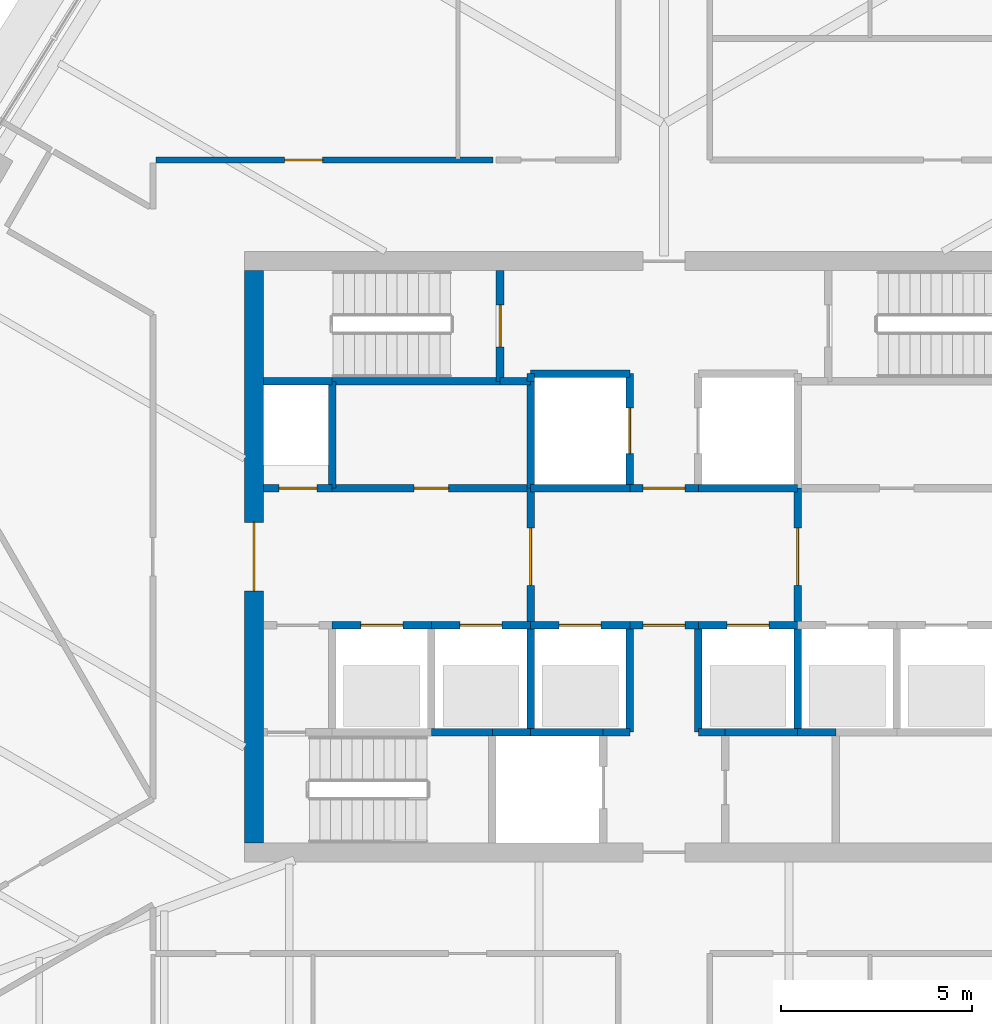
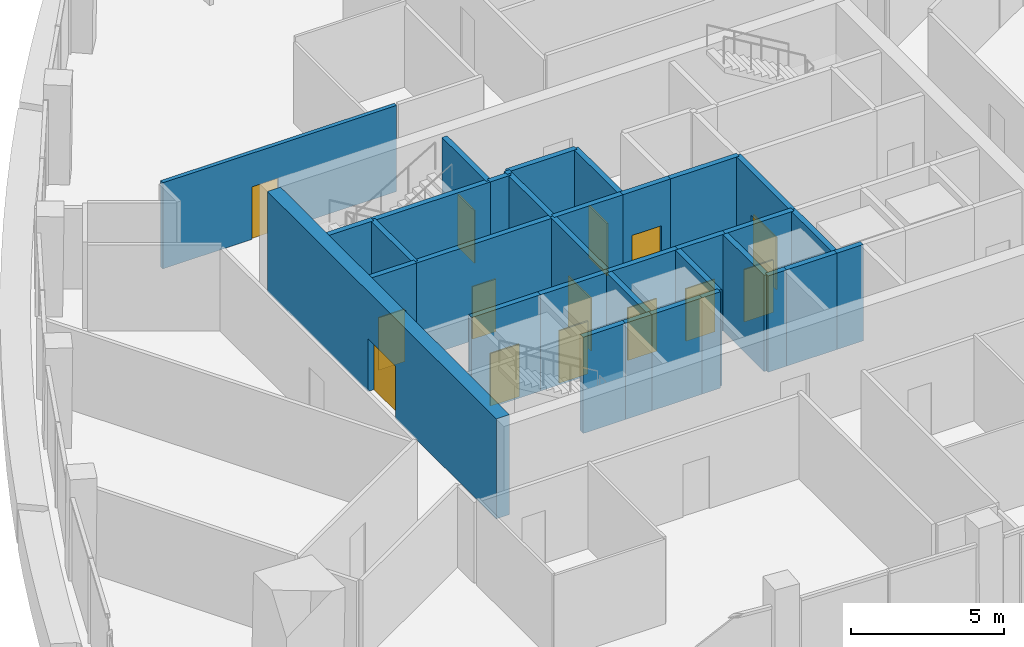
# One storey, part 9 of 15: 34 walls, 14 doors, 14 openings.
"""IFC4 building model written with IfcOpenShell, lengths in metres."""

from ifc_helpers import new_model, si_unit, direction, frame, frame_2d, origin, place, context, subcontext, project, spatial, rectangle, extrude, material, layer, layer_set, type_object, element, fill, save


model = new_model("IFC4")

# Units and contexts
model_context = context("Model", 3, precision=1e-05, world=origin(), true_north=direction((0.0, 1.0)))
body_context = subcontext(model_context, "Body", "Model", "MODEL_VIEW")
ifc_project = project(units=[si_unit("LENGTHUNIT", "METRE"), si_unit("AREAUNIT", "SQUARE_METRE"), si_unit("VOLUMEUNIT", "CUBIC_METRE"), si_unit("PLANEANGLEUNIT", "RADIAN"), si_unit("MASSUNIT", "GRAM", prefix="KILO")], contexts=[model_context])

# Site, building, storey
site_placement = place(None, origin())
site = spatial("IfcSite", under=ifc_project, at=site_placement, CompositionType="ELEMENT")
building_placement = place(site_placement, origin())
building = spatial("IfcBuilding", under=site, at=building_placement, Name="Sierra Prisma Convention Tower", CompositionType="ELEMENT")
storey_placement = place(building_placement, frame((0.0, 0.0, 267.0)))
storey = spatial("IfcBuildingStorey", under=building, at=storey_placement, Name="L60", CompositionType="ELEMENT", Elevation=267.0)

# Wall, opening, door
ifc_material_1 = material(Name="Concrete C30/37", Category="concrete")
ifc_layer_1 = layer(ifc_material_1, 0.199951171875)
ifc_layer_set_1 = layer_set([ifc_layer_1], Name="Core wall RC 200 C30/37")
wall_type_1 = type_object("IfcWallType", Name="Core wall RC 200 C30/37", PredefinedType="SOLIDWALL", material=ifc_layer_set_1)
wall_1_placement = place(storey_placement, frame((-8.699951171875, 1.800048828125, 0.0), z_axis=(0.0, 0.0, 1.0), x_axis=(-1.0, 0.0, 0.0)))
wall_1 = element("IfcWall", 1, at=wall_1_placement, inside=storey, type_object=wall_type_1, Name="Core wall L60 3", PredefinedType="SOLIDWALL", context=body_context, shape_type="SweptSolid", body=[
    extrude(rectangle(XDim=1.800048828125, YDim=0.199951171875, at=frame_2d((0.89990234375, 0.0))), origin(), (0.0, 0.0, 1.0), 3.85009765625),
])
opening_1_placement = place(wall_1_placement, frame((0.39990234375, 0.0, 0.0)))
opening_1 = element("IfcOpeningElement", 2, at=opening_1_placement, cuts=wall_1, Name="Opening L60-D015", PredefinedType="OPENING", context=body_context, shape_type="SweptSolid", body=[
    extrude(rectangle(XDim=1.0, YDim=2.10009765625, at=frame_2d((0.5, 1.050048828125))), frame((0.0, 0.10009765625, 0.0), z_axis=(0.0, -1.0, 0.0), x_axis=(1.0, 0.0, 0.0)), (0.0, 0.0, 1.0), 0.199951171875),
])
ifc_material_2 = material(Name="Steel fire door leaf", Category="steel")
door_type_1 = type_object("IfcDoorType", Name="Door 1000x2100 FD60S", OperationType="SINGLE_SWING_LEFT", PredefinedType="DOOR", material=ifc_material_2)
door_1_placement = place(opening_1_placement, origin())
door_1 = element("IfcDoor", 3, at=door_1_placement, inside=storey, type_object=door_type_1, Name="Door L60 29", OperationType="SINGLE_SWING_RIGHT", OverallHeight=2.10009765625, OverallWidth=1.0, PredefinedType="DOOR", context=body_context, shape_type="SweptSolid", body=[
    extrude(rectangle(XDim=1.0, YDim=2.10009765625, at=frame_2d((0.5, 1.050048828125))), frame((0.0, 0.02490234375, 0.0), z_axis=(0.0, -1.0, 0.0), x_axis=(1.0, 0.0, 0.0)), (0.0, 0.0, 1.0), 0.050048828125),
])
fill(opening_1, door_1)

# Wall
wall_2_placement = place(storey_placement, frame((-8.699951171875, 4.60009765625, 0.0), z_axis=(0.0, 0.0, 1.0), x_axis=(-1.0, 0.0, 0.0)))
element("IfcWall", 4, at=wall_2_placement, inside=storey, type_object=wall_type_1, Name="Core wall L60 4", PredefinedType="SOLIDWALL", context=body_context, shape_type="SweptSolid", body=[
    extrude(rectangle(XDim=1.800048828125, YDim=0.199951171875, at=frame_2d((0.89990234375, 0.0))), origin(), (0.0, 0.0, 1.0), 3.85009765625),
])

# Wall, opening, door
wall_3_placement = place(storey_placement, frame((-8.699951171875, -1.800048828125, 0.0), z_axis=(0.0, 0.0, 1.0), x_axis=(1.0, 0.0, 0.0)))
wall_3 = element("IfcWall", 5, at=wall_3_placement, inside=storey, type_object=wall_type_1, Name="Core wall L60 7", PredefinedType="SOLIDWALL", context=body_context, shape_type="SweptSolid", body=[
    extrude(rectangle(XDim=2.599853515625, YDim=0.199951171875, at=frame_2d((1.2998046875, 0.0))), origin(), (0.0, 0.0, 1.0), 3.85009765625),
])
opening_2_placement = place(wall_3_placement, frame((0.75, 0.0, 0.0)))
opening_2 = element("IfcOpeningElement", 6, at=opening_2_placement, cuts=wall_3, Name="Opening L60-D001", PredefinedType="OPENING", context=body_context, shape_type="SweptSolid", body=[
    extrude(rectangle(XDim=1.10009765625, YDim=2.10009765625, at=frame_2d((0.550048828125, 1.050048828125))), frame((0.0, 0.10009765625, 0.0), z_axis=(0.0, -1.0, 0.0), x_axis=(1.0, 0.0, 0.0)), (0.0, 0.0, 1.0), 0.199951171875),
])
ifc_material_3 = material(Name="Steel fire door leaf", Category="steel")
door_type_2 = type_object("IfcDoorType", Name="Door 1100x2100 EI 90 sliding lift landing", OperationType="SLIDING_TO_LEFT", PredefinedType="DOOR", material=ifc_material_3)
door_2_placement = place(opening_2_placement, origin())
door_2 = element("IfcDoor", 7, at=door_2_placement, inside=storey, type_object=door_type_2, Name="Door L60 15", OperationType="SLIDING_TO_LEFT", OverallHeight=2.10009765625, OverallWidth=1.10009765625, PredefinedType="DOOR", context=body_context, shape_type="SweptSolid", body=[
    extrude(rectangle(XDim=1.10009765625, YDim=2.10009765625, at=frame_2d((0.550048828125, 1.050048828125))), frame((0.0, 0.02490234375, 0.0), z_axis=(0.0, -1.0, 0.0), x_axis=(1.0, 0.0, 0.0)), (0.0, 0.0, 1.0), 0.050048828125),
])
fill(opening_2, door_2)

wall_4_placement = place(storey_placement, frame((-8.699951171875, 1.800048828125, 0.0), z_axis=(0.0, 0.0, 1.0), x_axis=(1.0, 0.0, 0.0)))
wall_4 = element("IfcWall", 8, at=wall_4_placement, inside=storey, type_object=wall_type_1, Name="Core wall L60 8", PredefinedType="SOLIDWALL", context=body_context, shape_type="SweptSolid", body=[
    extrude(rectangle(XDim=5.199951171875, YDim=0.199951171875, at=frame_2d((2.60009765625, 0.0))), origin(), (0.0, 0.0, 1.0), 3.85009765625),
])
opening_3_placement = place(wall_4_placement, frame((2.14990234375, 0.0, 0.0)))
opening_3 = element("IfcOpeningElement", 9, at=opening_3_placement, cuts=wall_4, Name="Opening L60-D021", PredefinedType="OPENING", context=body_context, shape_type="SweptSolid", body=[
    extrude(rectangle(XDim=0.89990234375, YDim=2.10009765625, at=frame_2d((0.449951171875, 1.050048828125))), frame((0.0, 0.10009765625, 0.0), z_axis=(0.0, -1.0, 0.0), x_axis=(1.0, 0.0, 0.0)), (0.0, 0.0, 1.0), 0.199951171875),
])
ifc_material_4 = material(Name="Steel fire door leaf", Category="steel")
door_type_3 = type_object("IfcDoorType", Name="Door 900x2100 FD30S", OperationType="SINGLE_SWING_LEFT", PredefinedType="DOOR", material=ifc_material_4)
door_3_placement = place(opening_3_placement, origin())
door_3 = element("IfcDoor", 10, at=door_3_placement, inside=storey, type_object=door_type_3, Name="Door L60 35", OperationType="SINGLE_SWING_LEFT", OverallHeight=2.10009765625, OverallWidth=0.89990234375, PredefinedType="DOOR", context=body_context, shape_type="SweptSolid", body=[
    extrude(rectangle(XDim=0.89990234375, YDim=2.10009765625, at=frame_2d((0.449951171875, 1.050048828125))), frame((0.0, 0.02490234375, 0.0), z_axis=(0.0, -1.0, 0.0), x_axis=(1.0, 0.0, 0.0)), (0.0, 0.0, 1.0), 0.050048828125),
])
fill(opening_3, door_3)

# Walls
wall_5_placement = place(storey_placement, frame((-8.699951171875, 4.60009765625, 0.0), z_axis=(0.0, 0.0, 1.0), x_axis=(0.0, -1.0, 0.0)))
element("IfcWall", 11, at=wall_5_placement, inside=storey, type_object=wall_type_1, Name="Core wall L60 9", PredefinedType="SOLIDWALL", context=body_context, shape_type="SweptSolid", body=[
    extrude(rectangle(XDim=2.800048828125, YDim=0.199951171875, at=frame_2d((1.39990234375, 0.0))), origin(), (0.0, 0.0, 1.0), 3.85009765625),
])
wall_6_placement = place(storey_placement, frame((-4.300048828125, 4.60009765625, 0.0), z_axis=(0.0, 0.0, 1.0), x_axis=(-1.0, 0.0, 0.0)))
element("IfcWall", 12, at=wall_6_placement, inside=storey, type_object=wall_type_1, Name="Core wall L60 10", PredefinedType="SOLIDWALL", context=body_context, shape_type="SweptSolid", body=[
    extrude(rectangle(XDim=4.39990234375, YDim=0.199951171875, at=frame_2d((2.199951171875, 0.0))), origin(), (0.0, 0.0, 1.0), 3.85009765625),
])
wall_7_placement = place(storey_placement, frame((-6.10009765625, -4.60009765625, 0.0), z_axis=(0.0, 0.0, 1.0), x_axis=(1.0, 0.0, 0.0)))
element("IfcWall", 13, at=wall_7_placement, inside=storey, type_object=wall_type_1, Name="Core wall L60 11", PredefinedType="SOLIDWALL", context=body_context, shape_type="SweptSolid", body=[
    extrude(rectangle(XDim=1.60009765625, YDim=0.199951171875, at=frame_2d((0.800048828125, 0.0))), origin(), (0.0, 0.0, 1.0), 3.85009765625),
])

# Wall, opening, door
wall_8_placement = place(storey_placement, frame((-6.10009765625, -1.800048828125, 0.0), z_axis=(0.0, 0.0, 1.0), x_axis=(1.0, 0.0, 0.0)))
wall_8 = element("IfcWall", 14, at=wall_8_placement, inside=storey, type_object=wall_type_1, Name="Core wall L60 13", PredefinedType="SOLIDWALL", context=body_context, shape_type="SweptSolid", body=[
    extrude(rectangle(XDim=2.60009765625, YDim=0.199951171875, at=frame_2d((1.300048828125, 0.0))), origin(), (0.0, 0.0, 1.0), 3.85009765625),
])
opening_4_placement = place(wall_8_placement, frame((0.75, 0.0, 0.0)))
opening_4 = element("IfcOpeningElement", 15, at=opening_4_placement, cuts=wall_8, Name="Opening L60-D002", PredefinedType="OPENING", context=body_context, shape_type="SweptSolid", body=[
    extrude(rectangle(XDim=1.10009765625, YDim=2.10009765625, at=frame_2d((0.550048828125, 1.050048828125))), frame((0.0, 0.10009765625, 0.0), z_axis=(0.0, -1.0, 0.0), x_axis=(1.0, 0.0, 0.0)), (0.0, 0.0, 1.0), 0.199951171875),
])
door_4_placement = place(opening_4_placement, origin())
door_4 = element("IfcDoor", 16, at=door_4_placement, inside=storey, type_object=door_type_2, Name="Door L60 16", OperationType="SLIDING_TO_LEFT", OverallHeight=2.10009765625, OverallWidth=1.10009765625, PredefinedType="DOOR", context=body_context, shape_type="SweptSolid", body=[
    extrude(rectangle(XDim=1.10009765625, YDim=2.10009765625, at=frame_2d((0.550048828125, 1.050048828125))), frame((0.0, 0.02490234375, 0.0), z_axis=(0.0, -1.0, 0.0), x_axis=(1.0, 0.0, 0.0)), (0.0, 0.0, 1.0), 0.050048828125),
])
fill(opening_4, door_4)

# Walls
wall_9_placement = place(storey_placement, frame((-4.5, -4.60009765625, 0.0), z_axis=(0.0, 0.0, 1.0), x_axis=(1.0, 0.0, 0.0)))
element("IfcWall", 17, at=wall_9_placement, inside=storey, type_object=wall_type_1, Name="Core wall L60 15", PredefinedType="SOLIDWALL", context=body_context, shape_type="SweptSolid", body=[
    extrude(rectangle(XDim=1.0, YDim=0.199951171875, at=frame_2d((0.5, 0.0))), origin(), (0.0, 0.0, 1.0), 3.85009765625),
])
wall_10_placement = place(storey_placement, frame((-3.5, 4.60009765625, 0.0), z_axis=(0.0, 0.0, 1.0), x_axis=(-1.0, 0.0, 0.0)))
element("IfcWall", 18, at=wall_10_placement, inside=storey, type_object=wall_type_1, Name="Core wall L60 16", PredefinedType="SOLIDWALL", context=body_context, shape_type="SweptSolid", body=[
    extrude(rectangle(XDim=0.800048828125, YDim=0.199951171875, at=frame_2d((0.39990234375, 0.0))), origin(), (0.0, 0.0, 1.0), 3.85009765625),
])

# Wall, opening, door
wall_11_placement = place(storey_placement, frame((-4.300048828125, 4.60009765625, 0.0), z_axis=(0.0, 0.0, 1.0), x_axis=(0.0, 1.0, 0.0)))
wall_11 = element("IfcWall", 19, at=wall_11_placement, inside=storey, type_object=wall_type_1, Name="Core wall L60 17", PredefinedType="SOLIDWALL", context=body_context, shape_type="SweptSolid", body=[
    extrude(rectangle(XDim=2.89990234375, YDim=0.199951171875, at=frame_2d((1.449951171875, 0.0))), origin(), (0.0, 0.0, 1.0), 3.85009765625),
])
opening_5_placement = place(wall_11_placement, frame((0.89990234375, 0.0, 0.0)))
opening_5 = element("IfcOpeningElement", 20, at=opening_5_placement, cuts=wall_11, Name="Opening L60-D018", PredefinedType="OPENING", context=body_context, shape_type="SweptSolid", body=[
    extrude(rectangle(XDim=1.10009765625, YDim=2.10009765625, at=frame_2d((0.550048828125, 1.050048828125))), frame((0.0, 0.10009765625, 0.0), z_axis=(0.0, -1.0, 0.0), x_axis=(1.0, 0.0, 0.0)), (0.0, 0.0, 1.0), 0.199951171875),
])
ifc_material_5 = material(Name="Steel fire door leaf", Category="steel")
door_type_4 = type_object("IfcDoorType", Name="Door 1100x2100 FD90S", OperationType="SINGLE_SWING_LEFT", PredefinedType="DOOR", material=ifc_material_5)
door_5_placement = place(opening_5_placement, origin())
door_5 = element("IfcDoor", 21, at=door_5_placement, inside=storey, type_object=door_type_4, Name="Door L60 32", OperationType="SINGLE_SWING_RIGHT", OverallHeight=2.10009765625, OverallWidth=1.10009765625, PredefinedType="DOOR", context=body_context, shape_type="SweptSolid", body=[
    extrude(rectangle(XDim=1.10009765625, YDim=2.10009765625, at=frame_2d((0.550048828125, 1.050048828125))), frame((0.0, 0.02490234375, 0.0), z_axis=(0.0, -1.0, 0.0), x_axis=(1.0, 0.0, 0.0)), (0.0, 0.0, 1.0), 0.050048828125),
])
fill(opening_5, door_5)

# Walls
wall_12_placement = place(storey_placement, frame((-3.5, -4.60009765625, 0.0), z_axis=(0.0, 0.0, 1.0), x_axis=(1.0, 0.0, 0.0)))
element("IfcWall", 22, at=wall_12_placement, inside=storey, type_object=wall_type_1, Name="Core wall L60 18", PredefinedType="SOLIDWALL", context=body_context, shape_type="SweptSolid", body=[
    extrude(rectangle(XDim=1.89990234375, YDim=0.199951171875, at=frame_2d((0.949951171875, 0.0))), origin(), (0.0, 0.0, 1.0), 3.85009765625),
])
wall_13_placement = place(storey_placement, frame((-3.5, -4.60009765625, 0.0), z_axis=(0.0, 0.0, 1.0), x_axis=(0.0, 1.0, 0.0)))
element("IfcWall", 23, at=wall_13_placement, inside=storey, type_object=wall_type_1, Name="Core wall L60 19", PredefinedType="SOLIDWALL", context=body_context, shape_type="SweptSolid", body=[
    extrude(rectangle(XDim=2.800048828125, YDim=0.199951171875, at=frame_2d((1.39990234375, 0.0))), origin(), (0.0, 0.0, 1.0), 3.85009765625),
])

# Wall, opening, door
wall_14_placement = place(storey_placement, frame((-3.5, -1.800048828125, 0.0), z_axis=(0.0, 0.0, 1.0), x_axis=(1.0, 0.0, 0.0)))
wall_14 = element("IfcWall", 24, at=wall_14_placement, inside=storey, type_object=wall_type_1, Name="Core wall L60 20", PredefinedType="SOLIDWALL", context=body_context, shape_type="SweptSolid", body=[
    extrude(rectangle(XDim=2.60009765625, YDim=0.199951171875, at=frame_2d((1.300048828125, 0.0))), origin(), (0.0, 0.0, 1.0), 3.85009765625),
])
opening_6_placement = place(wall_14_placement, frame((0.75, 0.0, 0.0)))
opening_6 = element("IfcOpeningElement", 25, at=opening_6_placement, cuts=wall_14, Name="Opening L60-D003", PredefinedType="OPENING", context=body_context, shape_type="SweptSolid", body=[
    extrude(rectangle(XDim=1.10009765625, YDim=2.10009765625, at=frame_2d((0.550048828125, 1.050048828125))), frame((0.0, 0.10009765625, 0.0), z_axis=(0.0, -1.0, 0.0), x_axis=(1.0, 0.0, 0.0)), (0.0, 0.0, 1.0), 0.199951171875),
])
door_6_placement = place(opening_6_placement, origin())
door_6 = element("IfcDoor", 26, at=door_6_placement, inside=storey, type_object=door_type_2, Name="Door L60 17", OperationType="SLIDING_TO_LEFT", OverallHeight=2.10009765625, OverallWidth=1.10009765625, PredefinedType="DOOR", context=body_context, shape_type="SweptSolid", body=[
    extrude(rectangle(XDim=1.10009765625, YDim=2.10009765625, at=frame_2d((0.550048828125, 1.050048828125))), frame((0.0, 0.02490234375, 0.0), z_axis=(0.0, -1.0, 0.0), x_axis=(1.0, 0.0, 0.0)), (0.0, 0.0, 1.0), 0.050048828125),
])
fill(opening_6, door_6)

wall_15_placement = place(storey_placement, frame((-3.5, 1.800048828125, 0.0), z_axis=(0.0, 0.0, 1.0), x_axis=(0.0, -1.0, 0.0)))
wall_15 = element("IfcWall", 27, at=wall_15_placement, inside=storey, type_object=wall_type_1, Name="Core wall L60 21", PredefinedType="SOLIDWALL", context=body_context, shape_type="SweptSolid", body=[
    extrude(rectangle(XDim=3.60009765625, YDim=0.199951171875, at=frame_2d((1.800048828125, 0.0))), origin(), (0.0, 0.0, 1.0), 3.85009765625),
])
opening_7_placement = place(wall_15_placement, frame((1.050048828125, 0.0, 0.0)))
opening_7 = element("IfcOpeningElement", 28, at=opening_7_placement, cuts=wall_15, Name="Opening L60-D010", PredefinedType="OPENING", context=body_context, shape_type="SweptSolid", body=[
    extrude(rectangle(XDim=1.5, YDim=2.10009765625, at=frame_2d((0.75, 1.050048828125))), frame((0.0, 0.10009765625, 0.0), z_axis=(0.0, -1.0, 0.0), x_axis=(1.0, 0.0, 0.0)), (0.0, 0.0, 1.0), 0.199951171875),
])
ifc_material_6 = material(Name="Steel fire door leaf", Category="steel")
door_type_5 = type_object("IfcDoorType", Name="Door 1500x2100 FD30S", OperationType="DOUBLE_DOOR_SINGLE_SWING", PredefinedType="DOOR", material=ifc_material_6)
door_7_placement = place(opening_7_placement, origin())
door_7 = element("IfcDoor", 29, at=door_7_placement, inside=storey, type_object=door_type_5, Name="Door L60 24", OperationType="DOUBLE_DOOR_SINGLE_SWING", OverallHeight=2.10009765625, OverallWidth=1.5, PredefinedType="DOOR", context=body_context, shape_type="SweptSolid", body=[
    extrude(rectangle(XDim=1.5, YDim=2.10009765625, at=frame_2d((0.75, 1.050048828125))), frame((0.0, 0.02490234375, 0.0), z_axis=(0.0, -1.0, 0.0), x_axis=(1.0, 0.0, 0.0)), (0.0, 0.0, 1.0), 0.050048828125),
])
fill(opening_7, door_7)

# Walls
wall_16_placement = place(storey_placement, frame((-0.89990234375, 1.800048828125, 0.0), z_axis=(0.0, 0.0, 1.0), x_axis=(-1.0, 0.0, 0.0)))
element("IfcWall", 30, at=wall_16_placement, inside=storey, type_object=wall_type_1, Name="Core wall L60 22", PredefinedType="SOLIDWALL", context=body_context, shape_type="SweptSolid", body=[
    extrude(rectangle(XDim=2.60009765625, YDim=0.199951171875, at=frame_2d((1.300048828125, 0.0))), origin(), (0.0, 0.0, 1.0), 3.85009765625),
])
wall_17_placement = place(storey_placement, frame((-3.5, 1.800048828125, 0.0), z_axis=(0.0, 0.0, 1.0), x_axis=(0.0, 1.0, 0.0)))
element("IfcWall", 31, at=wall_17_placement, inside=storey, type_object=wall_type_1, Name="Core wall L60 23", PredefinedType="SOLIDWALL", context=body_context, shape_type="SweptSolid", body=[
    extrude(rectangle(XDim=2.800048828125, YDim=0.199951171875, at=frame_2d((1.39990234375, 0.0))), origin(), (0.0, 0.0, 1.0), 3.85009765625),
])

# Wall, opening, door
wall_18_placement = place(storey_placement, frame((-0.89990234375, 1.800048828125, 0.0), z_axis=(0.0, 0.0, 1.0), x_axis=(0.0, 1.0, 0.0)))
wall_18 = element("IfcWall", 32, at=wall_18_placement, inside=storey, type_object=wall_type_1, Name="Core wall L60 24", PredefinedType="SOLIDWALL", context=body_context, shape_type="SweptSolid", body=[
    extrude(rectangle(XDim=3.0, YDim=0.199951171875, at=frame_2d((1.5, 0.0))), origin(), (0.0, 0.0, 1.0), 3.85009765625),
])
opening_8_placement = place(wall_18_placement, frame((0.89990234375, 0.0, 0.0)))
opening_8 = element("IfcOpeningElement", 33, at=opening_8_placement, cuts=wall_18, Name="Opening L60-D007", PredefinedType="OPENING", context=body_context, shape_type="SweptSolid", body=[
    extrude(rectangle(XDim=1.199951171875, YDim=2.10009765625, at=frame_2d((0.60009765625, 1.050048828125))), frame((0.0, 0.10009765625, 0.0), z_axis=(0.0, -1.0, 0.0), x_axis=(1.0, 0.0, 0.0)), (0.0, 0.0, 1.0), 0.199951171875),
])
ifc_material_7 = material(Name="Steel fire door leaf", Category="steel")
door_type_6 = type_object("IfcDoorType", Name="Door 1200x2100 EI 90 sliding lift landing", OperationType="SLIDING_TO_LEFT", PredefinedType="DOOR", material=ifc_material_7)
door_8_placement = place(opening_8_placement, origin())
door_8 = element("IfcDoor", 34, at=door_8_placement, inside=storey, type_object=door_type_6, Name="Door L60 21", OperationType="SLIDING_TO_RIGHT", OverallHeight=2.10009765625, OverallWidth=1.199951171875, PredefinedType="DOOR", context=body_context, shape_type="SweptSolid", body=[
    extrude(rectangle(XDim=1.199951171875, YDim=2.10009765625, at=frame_2d((0.60009765625, 1.050048828125))), frame((0.0, 0.02490234375, 0.0), z_axis=(0.0, -1.0, 0.0), x_axis=(1.0, 0.0, 0.0)), (0.0, 0.0, 1.0), 0.050048828125),
])
fill(opening_8, door_8)

# Walls
wall_19_placement = place(storey_placement, frame((-0.89990234375, 4.800048828125, 0.0), z_axis=(0.0, 0.0, 1.0), x_axis=(-1.0, 0.0, 0.0)))
element("IfcWall", 35, at=wall_19_placement, inside=storey, type_object=wall_type_1, Name="Core wall L60 25", PredefinedType="SOLIDWALL", context=body_context, shape_type="SweptSolid", body=[
    extrude(rectangle(XDim=2.60009765625, YDim=0.199951171875, at=frame_2d((1.300048828125, 0.0))), origin(), (0.0, 0.0, 1.0), 3.85009765625),
])
wall_20_placement = place(storey_placement, frame((-3.5, 4.800048828125, 0.0), z_axis=(0.0, 0.0, 1.0), x_axis=(0.0, -1.0, 0.0)))
element("IfcWall", 36, at=wall_20_placement, inside=storey, type_object=wall_type_1, Name="Core wall L60 26", PredefinedType="SOLIDWALL", context=body_context, shape_type="SweptSolid", body=[
    extrude(rectangle(XDim=0.199951171875, YDim=0.199951171875, at=frame_2d((0.10009765625, 0.0))), origin(), (0.0, 0.0, 1.0), 3.85009765625),
])
wall_21_placement = place(storey_placement, frame((-1.60009765625, -4.60009765625, 0.0), z_axis=(0.0, 0.0, 1.0), x_axis=(1.0, 0.0, 0.0)))
element("IfcWall", 37, at=wall_21_placement, inside=storey, type_object=wall_type_1, Name="Core wall L60 28", PredefinedType="SOLIDWALL", context=body_context, shape_type="SweptSolid", body=[
    extrude(rectangle(XDim=0.7001953125, YDim=0.199951171875, at=frame_2d((0.35009765625, 0.0))), origin(), (0.0, 0.0, 1.0), 3.85009765625),
])
wall_22_placement = place(storey_placement, frame((-0.89990234375, -4.60009765625, 0.0), z_axis=(0.0, 0.0, 1.0), x_axis=(0.0, 1.0, 0.0)))
element("IfcWall", 38, at=wall_22_placement, inside=storey, type_object=wall_type_1, Name="Core wall L60 29", PredefinedType="SOLIDWALL", context=body_context, shape_type="SweptSolid", body=[
    extrude(rectangle(XDim=2.800048828125, YDim=0.199951171875, at=frame_2d((1.39990234375, 0.0))), origin(), (0.0, 0.0, 1.0), 3.85009765625),
])

# Wall, opening, door
wall_23_placement = place(storey_placement, frame((-0.89990234375, -1.800048828125, 0.0), z_axis=(0.0, 0.0, 1.0), x_axis=(1.0, 0.0, 0.0)))
wall_23 = element("IfcWall", 39, at=wall_23_placement, inside=storey, type_object=wall_type_1, Name="Core wall L60 30", PredefinedType="SOLIDWALL", context=body_context, shape_type="SweptSolid", body=[
    extrude(rectangle(XDim=1.7998046875, YDim=0.199951171875, at=frame_2d((0.89990234375, 0.0))), origin(), (0.0, 0.0, 1.0), 3.85009765625),
])
opening_9_placement = place(wall_23_placement, frame((0.35009765625, 0.0, 0.0)))
opening_9 = element("IfcOpeningElement", 40, at=opening_9_placement, cuts=wall_23, Name="Opening L60-D014", PredefinedType="OPENING", context=body_context, shape_type="SweptSolid", body=[
    extrude(rectangle(XDim=1.10009765625, YDim=2.10009765625, at=frame_2d((0.550048828125, 1.050048828125))), frame((0.0, 0.10009765625, 0.0), z_axis=(0.0, -1.0, 0.0), x_axis=(1.0, 0.0, 0.0)), (0.0, 0.0, 1.0), 0.199951171875),
])
ifc_material_8 = material(Name="Steel fire door leaf", Category="steel")
door_type_7 = type_object("IfcDoorType", Name="Door 1100x2100 FD30S", OperationType="SINGLE_SWING_LEFT", PredefinedType="DOOR", material=ifc_material_8)
door_9_placement = place(opening_9_placement, origin())
door_9 = element("IfcDoor", 41, at=door_9_placement, inside=storey, type_object=door_type_7, Name="Door L60 28", OperationType="SINGLE_SWING_LEFT", OverallHeight=2.10009765625, OverallWidth=1.10009765625, PredefinedType="DOOR", context=body_context, shape_type="SweptSolid", body=[
    extrude(rectangle(XDim=1.10009765625, YDim=2.10009765625, at=frame_2d((0.550048828125, 1.050048828125))), frame((0.0, 0.02490234375, 0.0), z_axis=(0.0, -1.0, 0.0), x_axis=(1.0, 0.0, 0.0)), (0.0, 0.0, 1.0), 0.050048828125),
])
fill(opening_9, door_9)

wall_24_placement = place(storey_placement, frame((0.89990234375, 1.800048828125, 0.0), z_axis=(0.0, 0.0, 1.0), x_axis=(-1.0, 0.0, 0.0)))
wall_24 = element("IfcWall", 42, at=wall_24_placement, inside=storey, type_object=wall_type_1, Name="Core wall L60 31", PredefinedType="SOLIDWALL", context=body_context, shape_type="SweptSolid", body=[
    extrude(rectangle(XDim=1.7998046875, YDim=0.199951171875, at=frame_2d((0.89990234375, 0.0))), origin(), (0.0, 0.0, 1.0), 3.85009765625),
])
opening_10_placement = place(wall_24_placement, frame((0.35009765625, 0.0, 0.0)))
opening_10 = element("IfcOpeningElement", 43, at=opening_10_placement, cuts=wall_24, Name="Opening L60-D013", PredefinedType="OPENING", context=body_context, shape_type="SweptSolid", body=[
    extrude(rectangle(XDim=1.10009765625, YDim=2.10009765625, at=frame_2d((0.550048828125, 1.050048828125))), frame((0.0, 0.10009765625, 0.0), z_axis=(0.0, -1.0, 0.0), x_axis=(1.0, 0.0, 0.0)), (0.0, 0.0, 1.0), 0.199951171875),
])
ifc_material_9 = material(Name="Steel fire door leaf", Category="steel")
door_type_8 = type_object("IfcDoorType", Name="Door 1100x2100 FD60S", OperationType="SINGLE_SWING_LEFT", PredefinedType="DOOR", material=ifc_material_9)
door_10_placement = place(opening_10_placement, origin())
door_10 = element("IfcDoor", 44, at=door_10_placement, inside=storey, type_object=door_type_8, Name="Door L60 27", OperationType="SINGLE_SWING_LEFT", OverallHeight=2.10009765625, OverallWidth=1.10009765625, PredefinedType="DOOR", context=body_context, shape_type="SweptSolid", body=[
    extrude(rectangle(XDim=1.10009765625, YDim=2.10009765625, at=frame_2d((0.550048828125, 1.050048828125))), frame((0.0, 0.02490234375, 0.0), z_axis=(0.0, -1.0, 0.0), x_axis=(1.0, 0.0, 0.0)), (0.0, 0.0, 1.0), 0.050048828125),
])
fill(opening_10, door_10)

wall_25_placement = place(storey_placement, frame((0.89990234375, -1.800048828125, 0.0), z_axis=(0.0, 0.0, 1.0), x_axis=(1.0, 0.0, 0.0)))
wall_25 = element("IfcWall", 45, at=wall_25_placement, inside=storey, type_object=wall_type_1, Name="Core wall L60 32", PredefinedType="SOLIDWALL", context=body_context, shape_type="SweptSolid", body=[
    extrude(rectangle(XDim=2.60009765625, YDim=0.199951171875, at=frame_2d((1.300048828125, 0.0))), origin(), (0.0, 0.0, 1.0), 3.85009765625),
])
opening_11_placement = place(wall_25_placement, frame((0.75, 0.0, 0.0)))
opening_11 = element("IfcOpeningElement", 46, at=opening_11_placement, cuts=wall_25, Name="Opening L60-D004", PredefinedType="OPENING", context=body_context, shape_type="SweptSolid", body=[
    extrude(rectangle(XDim=1.10009765625, YDim=2.10009765625, at=frame_2d((0.550048828125, 1.050048828125))), frame((0.0, 0.10009765625, 0.0), z_axis=(0.0, -1.0, 0.0), x_axis=(1.0, 0.0, 0.0)), (0.0, 0.0, 1.0), 0.199951171875),
])
door_11_placement = place(opening_11_placement, origin())
door_11 = element("IfcDoor", 47, at=door_11_placement, inside=storey, type_object=door_type_2, Name="Door L60 18", OperationType="SLIDING_TO_RIGHT", OverallHeight=2.10009765625, OverallWidth=1.10009765625, PredefinedType="DOOR", context=body_context, shape_type="SweptSolid", body=[
    extrude(rectangle(XDim=1.10009765625, YDim=2.10009765625, at=frame_2d((0.550048828125, 1.050048828125))), frame((0.0, 0.02490234375, 0.0), z_axis=(0.0, -1.0, 0.0), x_axis=(1.0, 0.0, 0.0)), (0.0, 0.0, 1.0), 0.050048828125),
])
fill(opening_11, door_11)

# Walls
wall_26_placement = place(storey_placement, frame((0.89990234375, -1.800048828125, 0.0), z_axis=(0.0, 0.0, 1.0), x_axis=(0.0, -1.0, 0.0)))
element("IfcWall", 48, at=wall_26_placement, inside=storey, type_object=wall_type_1, Name="Core wall L60 33", PredefinedType="SOLIDWALL", context=body_context, shape_type="SweptSolid", body=[
    extrude(rectangle(XDim=2.800048828125, YDim=0.199951171875, at=frame_2d((1.39990234375, 0.0))), origin(), (0.0, 0.0, 1.0), 3.85009765625),
])
wall_27_placement = place(storey_placement, frame((0.89990234375, -4.60009765625, 0.0), z_axis=(0.0, 0.0, 1.0), x_axis=(1.0, 0.0, 0.0)))
element("IfcWall", 49, at=wall_27_placement, inside=storey, type_object=wall_type_1, Name="Core wall L60 34", PredefinedType="SOLIDWALL", context=body_context, shape_type="SweptSolid", body=[
    extrude(rectangle(XDim=0.7001953125, YDim=0.199951171875, at=frame_2d((0.35009765625, 0.0))), origin(), (0.0, 0.0, 1.0), 3.85009765625),
])
wall_28_placement = place(storey_placement, frame((3.5, 1.800048828125, 0.0), z_axis=(0.0, 0.0, 1.0), x_axis=(-1.0, 0.0, 0.0)))
element("IfcWall", 50, at=wall_28_placement, inside=storey, type_object=wall_type_1, Name="Core wall L60 35", PredefinedType="SOLIDWALL", context=body_context, shape_type="SweptSolid", body=[
    extrude(rectangle(XDim=2.60009765625, YDim=0.199951171875, at=frame_2d((1.300048828125, 0.0))), origin(), (0.0, 0.0, 1.0), 3.85009765625),
])
wall_29_placement = place(storey_placement, frame((3.5, -4.60009765625, 0.0), z_axis=(0.0, 0.0, 1.0), x_axis=(-1.0, 0.0, 0.0)))
element("IfcWall", 51, at=wall_29_placement, inside=storey, type_object=wall_type_1, Name="Core wall L60 40", PredefinedType="SOLIDWALL", context=body_context, shape_type="SweptSolid", body=[
    extrude(rectangle(XDim=1.89990234375, YDim=0.199951171875, at=frame_2d((0.949951171875, 0.0))), origin(), (0.0, 0.0, 1.0), 3.85009765625),
])
wall_30_placement = place(storey_placement, frame((4.5, -4.60009765625, 0.0), z_axis=(0.0, 0.0, 1.0), x_axis=(-1.0, 0.0, 0.0)))
element("IfcWall", 52, at=wall_30_placement, inside=storey, type_object=wall_type_1, Name="Core wall L60 41", PredefinedType="SOLIDWALL", context=body_context, shape_type="SweptSolid", body=[
    extrude(rectangle(XDim=1.0, YDim=0.199951171875, at=frame_2d((0.5, 0.0))), origin(), (0.0, 0.0, 1.0), 3.85009765625),
])
wall_31_placement = place(storey_placement, frame((3.5, -4.60009765625, 0.0), z_axis=(0.0, 0.0, 1.0), x_axis=(0.0, 1.0, 0.0)))
element("IfcWall", 53, at=wall_31_placement, inside=storey, type_object=wall_type_1, Name="Core wall L60 42", PredefinedType="SOLIDWALL", context=body_context, shape_type="SweptSolid", body=[
    extrude(rectangle(XDim=2.800048828125, YDim=0.199951171875, at=frame_2d((1.39990234375, 0.0))), origin(), (0.0, 0.0, 1.0), 3.85009765625),
])

# Wall, opening, door
wall_32_placement = place(storey_placement, frame((3.5, -1.800048828125, 0.0), z_axis=(0.0, 0.0, 1.0), x_axis=(0.0, 1.0, 0.0)))
wall_32 = element("IfcWall", 54, at=wall_32_placement, inside=storey, type_object=wall_type_1, Name="Core wall L60 44", PredefinedType="SOLIDWALL", context=body_context, shape_type="SweptSolid", body=[
    extrude(rectangle(XDim=3.60009765625, YDim=0.199951171875, at=frame_2d((1.800048828125, 0.0))), origin(), (0.0, 0.0, 1.0), 3.85009765625),
])
opening_12_placement = place(wall_32_placement, frame((1.050048828125, 0.0, 0.0)))
opening_12 = element("IfcOpeningElement", 55, at=opening_12_placement, cuts=wall_32, Name="Opening L60-D011", PredefinedType="OPENING", context=body_context, shape_type="SweptSolid", body=[
    extrude(rectangle(XDim=1.5, YDim=2.10009765625, at=frame_2d((0.75, 1.050048828125))), frame((0.0, 0.10009765625, 0.0), z_axis=(0.0, -1.0, 0.0), x_axis=(1.0, 0.0, 0.0)), (0.0, 0.0, 1.0), 0.199951171875),
])
door_12_placement = place(opening_12_placement, origin())
door_12 = element("IfcDoor", 56, at=door_12_placement, inside=storey, type_object=door_type_5, Name="Door L60 25", OperationType="DOUBLE_DOOR_SINGLE_SWING", OverallHeight=2.10009765625, OverallWidth=1.5, PredefinedType="DOOR", context=body_context, shape_type="SweptSolid", body=[
    extrude(rectangle(XDim=1.5, YDim=2.10009765625, at=frame_2d((0.75, 1.050048828125))), frame((0.0, 0.02490234375, 0.0), z_axis=(0.0, -1.0, 0.0), x_axis=(1.0, 0.0, 0.0)), (0.0, 0.0, 1.0), 0.050048828125),
])
fill(opening_12, door_12)

ifc_material_10 = material(Name="Concrete C50/60", Category="concrete")
ifc_layer_2 = layer(ifc_material_10, 0.5)
ifc_layer_set_2 = layer_set([ifc_layer_2], Name="Core wall RC 500 C50/60")
wall_type_2 = type_object("IfcWallType", Name="Core wall RC 500 C50/60", PredefinedType="SHEAR", material=ifc_layer_set_2)
wall_33_placement = place(storey_placement, frame((-10.75, -7.5, 0.0), z_axis=(0.0, 0.0, 1.0), x_axis=(0.0, 1.0, 0.0)))
wall_33 = element("IfcWall", 57, at=wall_33_placement, inside=storey, type_object=wall_type_2, Name="Core wall W L60", PredefinedType="SHEAR", context=body_context, shape_type="SweptSolid", body=[
    extrude(rectangle(XDim=15.0, YDim=0.5, at=frame_2d((7.5, 0.0))), origin(), (0.0, 0.0, 1.0), 4.0),
])
opening_13_placement = place(wall_33_placement, frame((6.60009765625, 0.0, 0.0)))
opening_13 = element("IfcOpeningElement", 58, at=opening_13_placement, cuts=wall_33, Name="Opening L60-D042", PredefinedType="OPENING", context=body_context, shape_type="SweptSolid", body=[
    extrude(rectangle(XDim=1.800048828125, YDim=2.10009765625, at=frame_2d((0.89990234375, 1.050048828125))), frame((0.0, 0.25, 0.0), z_axis=(0.0, -1.0, 0.0), x_axis=(1.0, 0.0, 0.0)), (0.0, 0.0, 1.0), 0.5),
])
ifc_material_11 = material(Name="Steel fire door leaf", Category="steel")
door_type_9 = type_object("IfcDoorType", Name="Door 1800x2100 FD60S", OperationType="DOUBLE_DOOR_SINGLE_SWING", PredefinedType="DOOR", material=ifc_material_11)
door_13_placement = place(opening_13_placement, origin())
door_13 = element("IfcDoor", 59, at=door_13_placement, inside=storey, type_object=door_type_9, Name="Door L60 39", OperationType="DOUBLE_DOOR_SINGLE_SWING", OverallHeight=2.10009765625, OverallWidth=1.800048828125, PredefinedType="DOOR", context=body_context, shape_type="SweptSolid", body=[
    extrude(rectangle(XDim=1.800048828125, YDim=2.10009765625, at=frame_2d((0.89990234375, 1.050048828125))), frame((0.0, 0.02490234375, 0.0), z_axis=(0.0, -1.0, 0.0), x_axis=(1.0, 0.0, 0.0)), (0.0, 0.0, 1.0), 0.050048828125),
])
fill(opening_13, door_13)

ifc_material_12 = material(Name="Gypsum board partition", Category="gypsum")
ifc_layer_3 = layer(ifc_material_12, 0.14990234375)
ifc_layer_set_3 = layer_set([ifc_layer_3], Name="Corridor wall 150 gypsum EI 60")
wall_type_3 = type_object("IfcWallType", Name="Corridor wall 150 gypsum EI 60", PredefinedType="PARTITIONING", material=ifc_layer_set_3)
wall_34_placement = place(storey_placement, frame((-4.47998046875, 10.39990234375, 0.0), z_axis=(0.0, 0.0, 1.0), x_axis=(-1.0, 0.0, 0.0)))
wall_34 = element("IfcWall", 60, at=wall_34_placement, inside=storey, type_object=wall_type_3, Name="Partition L60 corr 12", PredefinedType="PARTITIONING", context=body_context, shape_type="SweptSolid", body=[
    extrude(rectangle(XDim=8.840087890625, YDim=0.14990234375, at=frame_2d((4.419921875, 0.0))), origin(), (0.0, 0.0, 1.0), 3.443115234375),
])
opening_14_placement = place(wall_34_placement, frame((4.469970703125, 0.0, 0.0)))
opening_14 = element("IfcOpeningElement", 61, at=opening_14_placement, cuts=wall_34, Name="Opening L60-D030", PredefinedType="OPENING", context=body_context, shape_type="SweptSolid", body=[
    extrude(rectangle(XDim=1.0, YDim=2.10009765625, at=frame_2d((0.5, 1.050048828125))), frame((0.0, 0.074951171875, 0.0), z_axis=(0.0, -1.0, 0.0), x_axis=(1.0, 0.0, 0.0)), (0.0, 0.0, 1.0), 0.14990234375),
])
ifc_material_13 = material(Name="Steel fire door leaf", Category="steel")
door_type_10 = type_object("IfcDoorType", Name="Door 1000x2100 FD30S", OperationType="SINGLE_SWING_LEFT", PredefinedType="DOOR", material=ifc_material_13)
door_14_placement = place(opening_14_placement, origin())
door_14 = element("IfcDoor", 62, at=door_14_placement, inside=storey, type_object=door_type_10, Name="Door L60 6", OperationType="SINGLE_SWING_LEFT", OverallHeight=2.10009765625, OverallWidth=1.0, PredefinedType="DOOR", context=body_context, shape_type="SweptSolid", body=[
    extrude(rectangle(XDim=1.0, YDim=2.10009765625, at=frame_2d((0.5, 1.050048828125))), frame((0.0, 0.02490234375, 0.0), z_axis=(0.0, -1.0, 0.0), x_axis=(1.0, 0.0, 0.0)), (0.0, 0.0, 1.0), 0.050048828125),
])
fill(opening_14, door_14)

save(model, "model.ifc")
